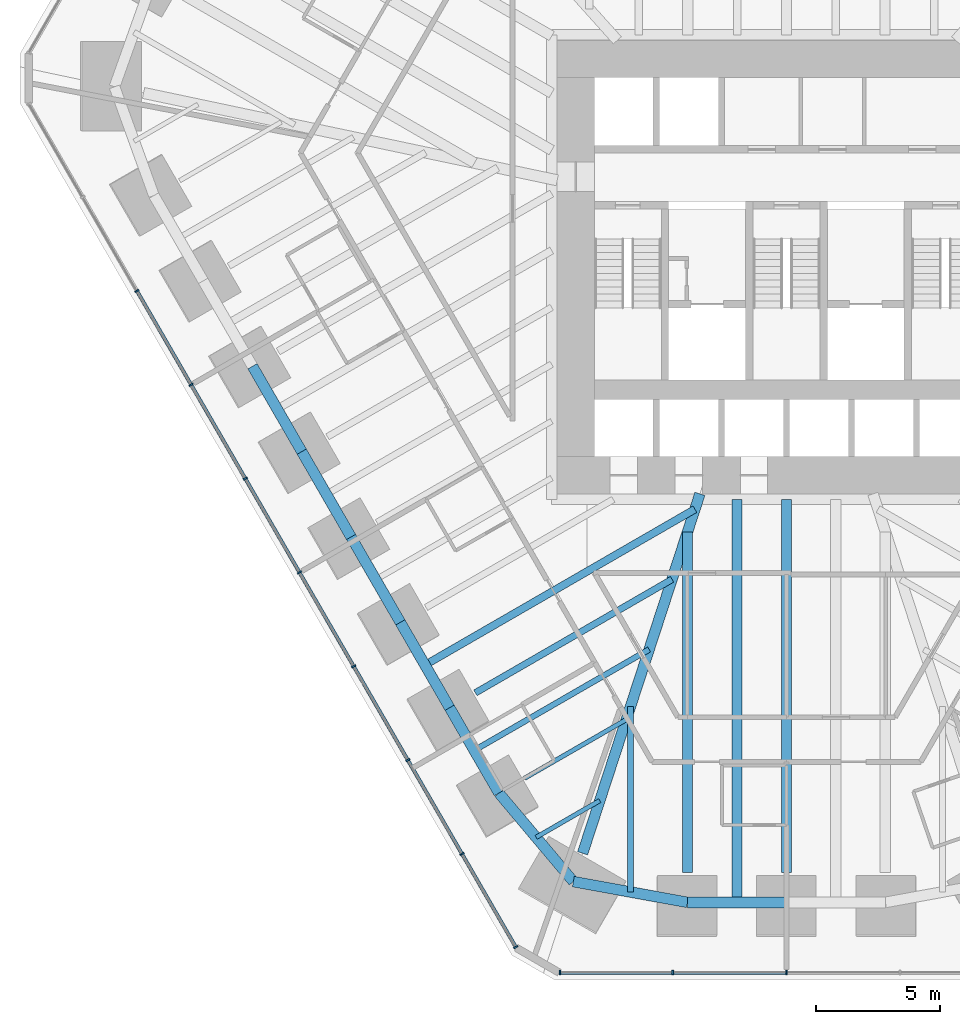
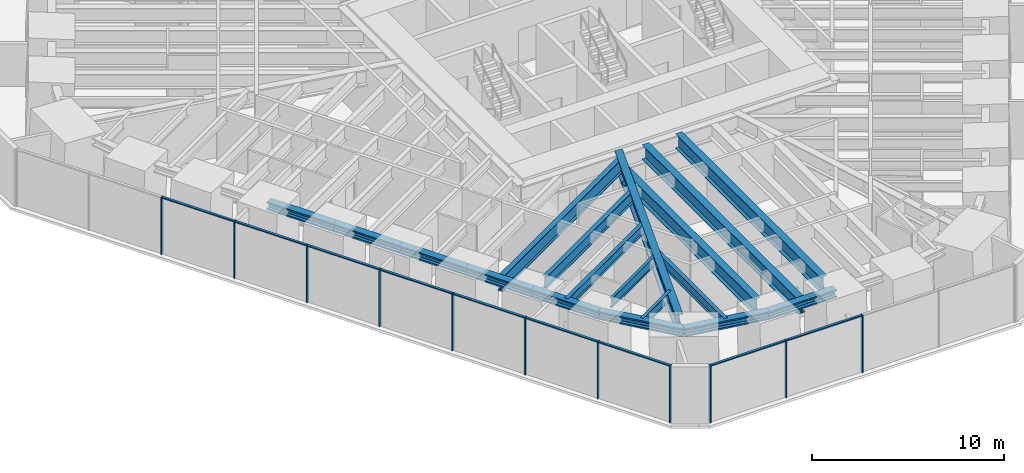
# One storey, part 2 of 17: 20 members, 18 beams, 2 elements without a shape of their own.
"""IFC4 building model written with IfcOpenShell, lengths in metres."""

from ifc_helpers import new_model, si_unit, direction, frame, origin, origin_2d, place, context, subcontext, project, spatial, rectangle, i_section, extrude, material, material_profile, profile_set, type_object, element, aggregate, save


model = new_model("IFC4")

# Units and contexts
model_context = context("Model", 3, precision=1e-05, world=origin(), true_north=direction((0.0, 1.0)))
body_context = subcontext(model_context, "Body", "Model", "MODEL_VIEW")
ifc_project = project(units=[si_unit("LENGTHUNIT", "METRE"), si_unit("AREAUNIT", "SQUARE_METRE"), si_unit("VOLUMEUNIT", "CUBIC_METRE"), si_unit("PLANEANGLEUNIT", "RADIAN"), si_unit("MASSUNIT", "GRAM", prefix="KILO")], contexts=[model_context])

# Site, building, storey
site_placement = place(None, origin())
site = spatial("IfcSite", under=ifc_project, at=site_placement, CompositionType="ELEMENT")
building_placement = place(site_placement, origin())
building = spatial("IfcBuilding", under=site, at=building_placement, Name="Sandreach Pilgrim Tower", CompositionType="ELEMENT")
storey_placement = place(building_placement, frame((0.0, 0.0, 87.60009765625)))
storey = spatial("IfcBuildingStorey", under=building, at=storey_placement, Name="L21", CompositionType="ELEMENT", Elevation=87.60009765625)

# Beams
ifc_material_1 = material(Name="Steel ASTM A913 Grade 65", Category="steel")
ifc_material_profile_1 = material_profile(ifc_material_1, i_section(OverallWidth=0.431884765625, OverallDepth=0.497802734375, WebThickness=0.0556640625, FlangeThickness=0.0888671875, at=origin_2d()), Name="W14X500")
ifc_profile_set_1 = profile_set([ifc_material_profile_1], Name="Steel ASTM A913 Grade 65")
beam_type_1 = type_object("IfcBeamType", Name="Belt truss chord W14X500", PredefinedType="BEAM", material=ifc_profile_set_1)
beam_1_placement = place(storey_placement, frame((0.0, -27.18017578125, 3.390869140625), z_axis=(-1.0, 0.0, 0.0), x_axis=(0.0, -1.0, 0.0)))
element("IfcBeam", 1, at=beam_1_placement, inside=storey, type_object=beam_type_1, Name="BM L21 BTB24", PredefinedType="BEAM", context=body_context, shape_type="SweptSolid", body=[
    extrude(i_section(OverallWidth=0.431884765625, OverallDepth=0.497802734375, WebThickness=0.0556640625, FlangeThickness=0.0888671875, at=origin_2d()), origin(), (0.0, 0.0, 1.0), 3.99169921875),
])
beam_2_placement = place(storey_placement, frame((-3.99169921875, -27.18017578125, 3.390869140625), z_axis=(-0.983773831368, 0.179413067296, 0.0), x_axis=(-0.179413067296, -0.983773831368, 0.0)))
element("IfcBeam", 2, at=beam_2_placement, inside=storey, type_object=beam_type_1, Name="BM L21 BTB25", PredefinedType="BEAM", context=body_context, shape_type="SweptSolid", body=[
    extrude(i_section(OverallWidth=0.431884765625, OverallDepth=0.497802734375, WebThickness=0.0556640625, FlangeThickness=0.0888671875, at=origin_2d()), origin(), (0.0, 0.0, 1.0), 4.682373046875),
])
beam_3_placement = place(storey_placement, frame((-8.59814453125, -26.340087890625, 3.390869140625), z_axis=(-0.64376503388, 0.765223223088, 0.0), x_axis=(-0.765223223088, -0.64376503388, 0.0)))
element("IfcBeam", 3, at=beam_3_placement, inside=storey, type_object=beam_type_1, Name="BM L21 BTB26", PredefinedType="BEAM", context=body_context, shape_type="SweptSolid", body=[
    extrude(i_section(OverallWidth=0.431884765625, OverallDepth=0.497802734375, WebThickness=0.0556640625, FlangeThickness=0.0888671875, at=origin_2d()), origin(), (0.0, 0.0, 1.0), 4.665283203125),
])
beam_4_placement = place(storey_placement, frame((-11.6015625, -22.77001953125, 3.390869140625), z_axis=(-0.499995262016, 0.866028139243, 0.0), x_axis=(-0.866028139243, -0.499995262016, 0.0)))
element("IfcBeam", 4, at=beam_4_placement, inside=storey, type_object=beam_type_1, Name="BM L21 BTB27", PredefinedType="BEAM", context=body_context, shape_type="SweptSolid", body=[
    extrude(i_section(OverallWidth=0.431884765625, OverallDepth=0.497802734375, WebThickness=0.0556640625, FlangeThickness=0.0888671875, at=origin_2d()), origin(), (0.0, 0.0, 1.0), 3.9765625),
])
beam_5_placement = place(storey_placement, frame((-13.58984375, -19.326171875, 3.390869140625), z_axis=(-0.499968678846, 0.866043486306, 0.0), x_axis=(-0.866043486306, -0.499968678846, 0.0)))
element("IfcBeam", 5, at=beam_5_placement, inside=storey, type_object=beam_type_1, Name="BM L21 BTB28", PredefinedType="BEAM", context=body_context, shape_type="SweptSolid", body=[
    extrude(i_section(OverallWidth=0.431884765625, OverallDepth=0.497802734375, WebThickness=0.0556640625, FlangeThickness=0.0888671875, at=origin_2d()), origin(), (0.0, 0.0, 1.0), 3.976806640625),
])
beam_6_placement = place(storey_placement, frame((-15.578125, -15.882080078125, 3.390869140625), z_axis=(-0.500014721933, 0.866016903906, 0.0), x_axis=(-0.866016903906, -0.500014721933, 0.0)))
element("IfcBeam", 6, at=beam_6_placement, inside=storey, type_object=beam_type_1, Name="BM L21 BTB29", PredefinedType="BEAM", context=body_context, shape_type="SweptSolid", body=[
    extrude(i_section(OverallWidth=0.431884765625, OverallDepth=0.497802734375, WebThickness=0.0556640625, FlangeThickness=0.0888671875, at=origin_2d()), origin(), (0.0, 0.0, 1.0), 3.97705078125),
])
beam_7_placement = place(storey_placement, frame((-17.566650390625, -12.43798828125, 3.390869140625), z_axis=(-0.499995262016, 0.866028139243, 0.0), x_axis=(-0.866028139243, -0.499995262016, 0.0)))
element("IfcBeam", 7, at=beam_7_placement, inside=storey, type_object=beam_type_1, Name="BM L21 BTB30", PredefinedType="BEAM", context=body_context, shape_type="SweptSolid", body=[
    extrude(i_section(OverallWidth=0.431884765625, OverallDepth=0.497802734375, WebThickness=0.0556640625, FlangeThickness=0.0888671875, at=origin_2d()), origin(), (0.0, 0.0, 1.0), 3.9765625),
])
beam_8_placement = place(storey_placement, frame((-19.554931640625, -8.994140625, 3.390869140625), z_axis=(-0.500014721933, 0.866016903906, 0.0), x_axis=(-0.866016903906, -0.500014721933, 0.0)))
element("IfcBeam", 8, at=beam_8_placement, inside=storey, type_object=beam_type_1, Name="BM L21 BTB31", PredefinedType="BEAM", context=body_context, shape_type="SweptSolid", body=[
    extrude(i_section(OverallWidth=0.431884765625, OverallDepth=0.497802734375, WebThickness=0.0556640625, FlangeThickness=0.0888671875, at=origin_2d()), origin(), (0.0, 0.0, 1.0), 3.97705078125),
])

# Curtain wall, members
ifc_material_2 = material(Name="Aluminium framed curtain wall", Category="aluminium")
curtain_wall_type = type_object("IfcCurtainWallType", Name="Hostel tower curtain wall", PredefinedType="NOTDEFINED", material=ifc_material_2)
curtain_wall_1_placement = place(storey_placement, origin())
curtain_wall_1 = element("IfcCurtainWall", 9, at=curtain_wall_1_placement, inside=storey, type_object=curtain_wall_type, Name="CW-1 L21 S", PredefinedType="NOTDEFINED")
ifc_material_3 = material(Name="Aluminium extrusion", Category="aluminium")
ifc_material_profile_2 = material_profile(ifc_material_3, rectangle(XDim=0.06494140625, YDim=0.179931640625, at=origin_2d()), Name="CW-1M 65X180")
ifc_profile_set_2 = profile_set([ifc_material_profile_2], Name="Aluminium extrusion")
member_type_1 = type_object("IfcMemberType", Name="CW-1 mullion", PredefinedType="MULLION", material=ifc_profile_set_2)
member_1_placement = place(storey_placement, frame((0.0, -30.010986328125, 0.0), z_axis=(0.0, 0.0, 1.0), x_axis=(-1.0, 0.0, 0.0)))
member_1 = element("IfcMember", 10, at=member_1_placement, type_object=member_type_1, Name="CW-1 mullion 3", PredefinedType="MULLION", context=body_context, shape_type="SweptSolid", body=[
    extrude(rectangle(XDim=0.06494140625, YDim=0.179931640625, at=origin_2d()), origin(), (0.0, 0.0, 1.0), 3.639892578125),
])
member_2_placement = place(storey_placement, frame((-4.5859375, -30.010986328125, 0.0), z_axis=(0.0, 0.0, 1.0), x_axis=(-1.0, 0.0, 0.0)))
member_2 = element("IfcMember", 11, at=member_2_placement, type_object=member_type_1, Name="CW-1 mullion 4", PredefinedType="MULLION", context=body_context, shape_type="SweptSolid", body=[
    extrude(rectangle(XDim=0.06494140625, YDim=0.179931640625, at=origin_2d()), origin(), (0.0, 0.0, 1.0), 3.639892578125),
])
member_3_placement = place(storey_placement, frame((-9.1396484375, -30.010986328125, 0.0), z_axis=(0.0, 0.0, 1.0), x_axis=(-1.0, 0.0, 0.0)))
member_3 = element("IfcMember", 12, at=member_3_placement, type_object=member_type_1, Name="CW-1 mullion 5", PredefinedType="MULLION", context=body_context, shape_type="SweptSolid", body=[
    extrude(rectangle(XDim=0.06494140625, YDim=0.179931640625, at=origin_2d()), origin(), (0.0, 0.0, 1.0), 3.639892578125),
])

curtain_wall_2_placement = place(storey_placement, origin())
curtain_wall_2 = element("IfcCurtainWall", 13, at=curtain_wall_2_placement, inside=storey, type_object=curtain_wall_type, Name="CW-1 L21 SW", PredefinedType="NOTDEFINED")
member_4_placement = place(storey_placement, frame((-10.92041015625, -28.982666015625, 0.0), z_axis=(0.0, 0.0, 1.0), x_axis=(-0.5, 0.866025403784, 0.0)))
member_4 = element("IfcMember", 14, at=member_4_placement, type_object=member_type_1, Name="CW-1 mullion 1", PredefinedType="MULLION", context=body_context, shape_type="SweptSolid", body=[
    extrude(rectangle(XDim=0.06494140625, YDim=0.179931640625, at=origin_2d()), origin(), (0.0, 0.0, 1.0), 3.639892578125),
])
member_5_placement = place(storey_placement, frame((-13.08984375, -25.22509765625, 0.0), z_axis=(0.0, 0.0, 1.0), x_axis=(-0.5, 0.866025403784, 0.0)))
member_5 = element("IfcMember", 15, at=member_5_placement, type_object=member_type_1, Name="CW-1 mullion 2", PredefinedType="MULLION", context=body_context, shape_type="SweptSolid", body=[
    extrude(rectangle(XDim=0.06494140625, YDim=0.179931640625, at=origin_2d()), origin(), (0.0, 0.0, 1.0), 3.639892578125),
])
member_6_placement = place(storey_placement, frame((-15.275634765625, -21.439208984375, 0.0), z_axis=(0.0, 0.0, 1.0), x_axis=(-0.5, 0.866025403784, 0.0)))
member_6 = element("IfcMember", 16, at=member_6_placement, type_object=member_type_1, Name="CW-1 mullion 3", PredefinedType="MULLION", context=body_context, shape_type="SweptSolid", body=[
    extrude(rectangle(XDim=0.06494140625, YDim=0.179931640625, at=origin_2d()), origin(), (0.0, 0.0, 1.0), 3.639892578125),
])
member_7_placement = place(storey_placement, frame((-17.46142578125, -17.6533203125, 0.0), z_axis=(0.0, 0.0, 1.0), x_axis=(-0.5, 0.866025403784, 0.0)))
member_7 = element("IfcMember", 17, at=member_7_placement, type_object=member_type_1, Name="CW-1 mullion 4", PredefinedType="MULLION", context=body_context, shape_type="SweptSolid", body=[
    extrude(rectangle(XDim=0.06494140625, YDim=0.179931640625, at=origin_2d()), origin(), (0.0, 0.0, 1.0), 3.639892578125),
])
member_8_placement = place(storey_placement, frame((-19.647216796875, -13.8671875, 0.0), z_axis=(0.0, 0.0, 1.0), x_axis=(-0.5, 0.866025403784, 0.0)))
member_8 = element("IfcMember", 18, at=member_8_placement, type_object=member_type_1, Name="CW-1 mullion 5", PredefinedType="MULLION", context=body_context, shape_type="SweptSolid", body=[
    extrude(rectangle(XDim=0.06494140625, YDim=0.179931640625, at=origin_2d()), origin(), (0.0, 0.0, 1.0), 3.639892578125),
])
member_9_placement = place(storey_placement, frame((-21.8330078125, -10.081298828125, 0.0), z_axis=(0.0, 0.0, 1.0), x_axis=(-0.5, 0.866025403784, 0.0)))
member_9 = element("IfcMember", 19, at=member_9_placement, type_object=member_type_1, Name="CW-1 mullion 6", PredefinedType="MULLION", context=body_context, shape_type="SweptSolid", body=[
    extrude(rectangle(XDim=0.06494140625, YDim=0.179931640625, at=origin_2d()), origin(), (0.0, 0.0, 1.0), 3.639892578125),
])
member_10_placement = place(storey_placement, frame((-24.018798828125, -6.29541015625, 0.0), z_axis=(0.0, 0.0, 1.0), x_axis=(-0.5, 0.866025403784, 0.0)))
member_10 = element("IfcMember", 20, at=member_10_placement, type_object=member_type_1, Name="CW-1 mullion 7", PredefinedType="MULLION", context=body_context, shape_type="SweptSolid", body=[
    extrude(rectangle(XDim=0.06494140625, YDim=0.179931640625, at=origin_2d()), origin(), (0.0, 0.0, 1.0), 3.639892578125),
])
member_11_placement = place(storey_placement, frame((-26.20458984375, -2.509521484375, 0.0), z_axis=(0.0, 0.0, 1.0), x_axis=(-0.5, 0.866025403784, 0.0)))
member_11 = element("IfcMember", 21, at=member_11_placement, type_object=member_type_1, Name="CW-1 mullion 8", PredefinedType="MULLION", context=body_context, shape_type="SweptSolid", body=[
    extrude(rectangle(XDim=0.06494140625, YDim=0.179931640625, at=origin_2d()), origin(), (0.0, 0.0, 1.0), 3.639892578125),
])

# Member
ifc_material_4 = material(Name="Aluminium extrusion", Category="aluminium")
ifc_material_profile_3 = material_profile(ifc_material_4, rectangle(XDim=0.139892578125, YDim=0.070068359375, at=origin_2d()), Name="CW-1T 140X70")
ifc_profile_set_3 = profile_set([ifc_material_profile_3], Name="Aluminium extrusion")
member_type_2 = type_object("IfcMemberType", Name="CW-1 transom", PredefinedType="USERDEFINED", material=ifc_profile_set_3)
member_12_placement = place(storey_placement, frame((-0.032470703125, -30.010986328125, 3.60498046875), z_axis=(-1.0, 0.0, 0.0), x_axis=(0.0, -1.0, 0.0)))
member_12 = element("IfcMember", 22, at=member_12_placement, type_object=member_type_2, Name="CW-1 head transom 3", ObjectType="TRANSOM", PredefinedType="USERDEFINED", context=body_context, shape_type="SweptSolid", body=[
    extrude(rectangle(XDim=0.139892578125, YDim=0.070068359375, at=origin_2d()), origin(), (0.0, 0.0, 1.0), 4.52099609375),
])

member_13_placement = place(storey_placement, frame((-4.61865234375, -30.010986328125, 3.60498046875), z_axis=(-1.0, 0.0, 0.0), x_axis=(0.0, -1.0, 0.0)))
member_13 = element("IfcMember", 23, at=member_13_placement, type_object=member_type_2, Name="CW-1 head transom 4", ObjectType="TRANSOM", PredefinedType="USERDEFINED", context=body_context, shape_type="SweptSolid", body=[
    extrude(rectangle(XDim=0.139892578125, YDim=0.070068359375, at=origin_2d()), origin(), (0.0, 0.0, 1.0), 4.488525390625),
])

aggregate(curtain_wall_1, [member_1, member_2, member_3, member_12, member_13])

member_14_placement = place(storey_placement, frame((-10.9365234375, -28.95458984375, 3.60498046875), z_axis=(-0.500033953635, 0.866005799756, 0.0), x_axis=(-0.866005799756, -0.500033953635, 0.0)))
member_14 = element("IfcMember", 24, at=member_14_placement, type_object=member_type_2, Name="CW-1 head transom 1", ObjectType="TRANSOM", PredefinedType="USERDEFINED", context=body_context, shape_type="SweptSolid", body=[
    extrude(rectangle(XDim=0.139892578125, YDim=0.070068359375, at=origin_2d()), origin(), (0.0, 0.0, 1.0), 4.274169921875),
])

member_15_placement = place(storey_placement, frame((-13.106201171875, -25.19677734375, 3.60498046875), z_axis=(-0.500016891966, 0.866015650984, 0.0), x_axis=(-0.866015650984, -0.500016891966, 0.0)))
member_15 = element("IfcMember", 25, at=member_15_placement, type_object=member_type_2, Name="CW-1 head transom 2", ObjectType="TRANSOM", PredefinedType="USERDEFINED", context=body_context, shape_type="SweptSolid", body=[
    extrude(rectangle(XDim=0.139892578125, YDim=0.070068359375, at=origin_2d()), origin(), (0.0, 0.0, 1.0), 4.306396484375),
])

member_16_placement = place(storey_placement, frame((-15.2919921875, -21.410888671875, 3.60498046875), z_axis=(-0.500016891966, 0.866015650984, 0.0), x_axis=(-0.866015650984, -0.500016891966, 0.0)))
member_16 = element("IfcMember", 26, at=member_16_placement, type_object=member_type_2, Name="CW-1 head transom 3", ObjectType="TRANSOM", PredefinedType="USERDEFINED", context=body_context, shape_type="SweptSolid", body=[
    extrude(rectangle(XDim=0.139892578125, YDim=0.070068359375, at=origin_2d()), origin(), (0.0, 0.0, 1.0), 4.306396484375),
])

member_17_placement = place(storey_placement, frame((-17.477783203125, -17.625, 3.60498046875), z_axis=(-0.500016891966, 0.866015650984, 0.0), x_axis=(-0.866015650984, -0.500016891966, 0.0)))
member_17 = element("IfcMember", 27, at=member_17_placement, type_object=member_type_2, Name="CW-1 head transom 4", ObjectType="TRANSOM", PredefinedType="USERDEFINED", context=body_context, shape_type="SweptSolid", body=[
    extrude(rectangle(XDim=0.139892578125, YDim=0.070068359375, at=origin_2d()), origin(), (0.0, 0.0, 1.0), 4.306396484375),
])

member_18_placement = place(storey_placement, frame((-19.66357421875, -13.839111328125, 3.60498046875), z_axis=(-0.500016891966, 0.866015650984, 0.0), x_axis=(-0.866015650984, -0.500016891966, 0.0)))
member_18 = element("IfcMember", 28, at=member_18_placement, type_object=member_type_2, Name="CW-1 head transom 5", ObjectType="TRANSOM", PredefinedType="USERDEFINED", context=body_context, shape_type="SweptSolid", body=[
    extrude(rectangle(XDim=0.139892578125, YDim=0.070068359375, at=origin_2d()), origin(), (0.0, 0.0, 1.0), 4.306396484375),
])

member_19_placement = place(storey_placement, frame((-21.849365234375, -10.05322265625, 3.60498046875), z_axis=(-0.500016891966, 0.866015650984, 0.0), x_axis=(-0.866015650984, -0.500016891966, 0.0)))
member_19 = element("IfcMember", 29, at=member_19_placement, type_object=member_type_2, Name="CW-1 head transom 6", ObjectType="TRANSOM", PredefinedType="USERDEFINED", context=body_context, shape_type="SweptSolid", body=[
    extrude(rectangle(XDim=0.139892578125, YDim=0.070068359375, at=origin_2d()), origin(), (0.0, 0.0, 1.0), 4.306396484375),
])

member_20_placement = place(storey_placement, frame((-24.03515625, -6.267333984375, 3.60498046875), z_axis=(-0.500016891966, 0.866015650984, 0.0), x_axis=(-0.866015650984, -0.500016891966, 0.0)))
member_20 = element("IfcMember", 30, at=member_20_placement, type_object=member_type_2, Name="CW-1 head transom 7", ObjectType="TRANSOM", PredefinedType="USERDEFINED", context=body_context, shape_type="SweptSolid", body=[
    extrude(rectangle(XDim=0.139892578125, YDim=0.070068359375, at=origin_2d()), origin(), (0.0, 0.0, 1.0), 4.306396484375),
])

aggregate(curtain_wall_2, [member_4, member_5, member_6, member_7, member_8, member_9, member_10, member_11, member_14, member_15, member_16, member_17, member_18, member_19, member_20])

# Beams
ifc_material_5 = material(Name="Steel ASTM A992 Grade 50", Category="steel")
ifc_material_profile_4 = material_profile(ifc_material_5, i_section(OverallWidth=0.4267578125, OverallDepth=0.975341796875, WebThickness=0.031005859375, FlangeThickness=0.055908203125, at=origin_2d()), Name="W36X395")
ifc_profile_set_4 = profile_set([ifc_material_profile_4], Name="Steel ASTM A992 Grade 50")
beam_type_2 = type_object("IfcBeamType", Name="Corner girder W36X395", PredefinedType="BEAM", material=ifc_profile_set_4)
beam_9_placement = place(storey_placement, frame((-8.225830078125, -25.199462890625, 3.15234375), z_axis=(0.310320012545, 0.950632152735, 0.0), x_axis=(-0.950632152735, 0.310320012545, 0.0)))
element("IfcBeam", 31, at=beam_9_placement, inside=storey, type_object=beam_type_2, Name="BM L21 CG26", PredefinedType="BEAM", context=body_context, shape_type="SweptSolid", body=[
    extrude(i_section(OverallWidth=0.4267578125, OverallDepth=0.975341796875, WebThickness=0.031005859375, FlangeThickness=0.055908203125, at=origin_2d()), origin(), (0.0, 0.0, 1.0), 15.25244140625),
])
ifc_material_6 = material(Name="Steel ASTM A992 Grade 50", Category="steel")
ifc_material_profile_5 = material_profile(ifc_material_6, i_section(OverallWidth=0.1787109375, OverallDepth=0.60205078125, WebThickness=0.010986328125, FlangeThickness=0.014892578125, at=origin_2d()), Name="W24X62")
ifc_profile_set_5 = profile_set([ifc_material_profile_5], Name="Steel ASTM A992 Grade 50")
beam_type_3 = type_object("IfcBeamType", Name="Floor beam W24X62", PredefinedType="BEAM", material=ifc_profile_set_5)
beam_10_placement = place(storey_placement, frame((-10.562255859375, -22.169921875, 3.3388671875), z_axis=(0.866030920585, 0.499990444499, 0.0), x_axis=(-0.499990444499, 0.866030920585, 0.0)))
element("IfcBeam", 32, at=beam_10_placement, inside=storey, type_object=beam_type_3, Name="BM L21 F27", PredefinedType="BEAM", context=body_context, shape_type="SweptSolid", body=[
    extrude(i_section(OverallWidth=0.1787109375, OverallDepth=0.60205078125, WebThickness=0.010986328125, FlangeThickness=0.014892578125, at=origin_2d()), origin(), (0.0, 0.0, 1.0), 4.7314453125),
])
beam_11_placement = place(storey_placement, frame((-10.099853515625, -24.55517578125, 3.3388671875), z_axis=(0.866015594979, 0.500016988964, 0.0), x_axis=(-0.500016988964, 0.866015594979, 0.0)))
element("IfcBeam", 33, at=beam_11_placement, inside=storey, type_object=beam_type_3, Name="BM L21 FM26", PredefinedType="BEAM", context=body_context, shape_type="SweptSolid", body=[
    extrude(i_section(OverallWidth=0.1787109375, OverallDepth=0.60205078125, WebThickness=0.010986328125, FlangeThickness=0.014892578125, at=origin_2d()), origin(), (0.0, 0.0, 1.0), 2.9658203125),
])
ifc_material_7 = material(Name="Steel ASTM A992 Grade 50", Category="steel")
ifc_material_profile_6 = material_profile(ifc_material_7, i_section(OverallWidth=0.23046875, OverallDepth=0.6171875, WebThickness=0.01318359375, FlangeThickness=0.022216796875, at=origin_2d()), Name="W24X94")
ifc_profile_set_6 = profile_set([ifc_material_profile_6], Name="Steel ASTM A992 Grade 50")
beam_type_4 = type_object("IfcBeamType", Name="Floor beam W24X94", PredefinedType="BEAM", material=ifc_profile_set_6)
beam_12_placement = place(storey_placement, frame((-6.294921875, -26.76025390625, 3.331298828125), z_axis=(0.0, 1.0, 0.0), x_axis=(-1.0, 0.0, 0.0)))
element("IfcBeam", 34, at=beam_12_placement, inside=storey, type_object=beam_type_4, Name="BM L21 FM25", PredefinedType="BEAM", context=body_context, shape_type="SweptSolid", body=[
    extrude(i_section(OverallWidth=0.23046875, OverallDepth=0.6171875, WebThickness=0.01318359375, FlangeThickness=0.022216796875, at=origin_2d()), origin(), (0.0, 0.0, 1.0), 7.47607421875),
])
beam_13_placement = place(storey_placement, frame((-12.595703125, -21.048095703125, 3.331298828125), z_axis=(0.866026875161, 0.499997451492, 0.0), x_axis=(-0.499997451492, 0.866026875161, 0.0)))
element("IfcBeam", 35, at=beam_13_placement, inside=storey, type_object=beam_type_4, Name="BM L21 FM27", PredefinedType="BEAM", context=body_context, shape_type="SweptSolid", body=[
    extrude(i_section(OverallWidth=0.23046875, OverallDepth=0.6171875, WebThickness=0.01318359375, FlangeThickness=0.022216796875, at=origin_2d()), origin(), (0.0, 0.0, 1.0), 8.14599609375),
])
ifc_material_8 = material(Name="Steel ASTM A992 Grade 50", Category="steel")
ifc_material_profile_7 = material_profile(ifc_material_8, i_section(OverallWidth=0.2666015625, OverallDepth=0.761962890625, WebThickness=0.014404296875, FlangeThickness=0.021484375, at=origin_2d()), Name="W30X116")
ifc_profile_set_7 = profile_set([ifc_material_profile_7], Name="Steel ASTM A992 Grade 50")
beam_type_5 = type_object("IfcBeamType", Name="Floor beam W30X116", PredefinedType="BEAM", material=ifc_profile_set_7)
beam_14_placement = place(storey_placement, frame((-12.550537109375, -18.72607421875, 3.2587890625), z_axis=(0.866023583738, 0.5000031524, 0.0), x_axis=(-0.5000031524, 0.866023583738, 0.0)))
element("IfcBeam", 36, at=beam_14_placement, inside=storey, type_object=beam_type_5, Name="BM L21 F28", PredefinedType="BEAM", context=body_context, shape_type="SweptSolid", body=[
    extrude(i_section(OverallWidth=0.2666015625, OverallDepth=0.761962890625, WebThickness=0.014404296875, FlangeThickness=0.021484375, at=origin_2d()), origin(), (0.0, 0.0, 1.0), 9.16015625),
])
ifc_material_9 = material(Name="Steel ASTM A992 Grade 50", Category="steel")
ifc_material_profile_8 = material_profile(ifc_material_9, i_section(OverallWidth=0.3046875, OverallDepth=0.914306640625, WebThickness=0.0166015625, FlangeThickness=0.02587890625, at=origin_2d()), Name="W36X160")
ifc_profile_set_8 = profile_set([ifc_material_profile_8], Name="Steel ASTM A992 Grade 50")
beam_type_6 = type_object("IfcBeamType", Name="Floor beam W36X160", PredefinedType="BEAM", material=ifc_profile_set_8)
beam_15_placement = place(storey_placement, frame((-14.583984375, -17.60400390625, 3.1826171875), z_axis=(0.866022955265, 0.500004240936, 0.0), x_axis=(-0.500004240936, 0.866022955265, 0.0)))
element("IfcBeam", 37, at=beam_15_placement, inside=storey, type_object=beam_type_6, Name="BM L21 FM28", PredefinedType="BEAM", context=body_context, shape_type="SweptSolid", body=[
    extrude(i_section(OverallWidth=0.3046875, OverallDepth=0.914306640625, WebThickness=0.0166015625, FlangeThickness=0.02587890625, at=origin_2d()), origin(), (0.0, 0.0, 1.0), 12.57470703125),
])
ifc_material_10 = material(Name="Steel ASTM A992 Grade 50", Category="steel")
ifc_material_profile_9 = material_profile(ifc_material_10, i_section(OverallWidth=0.419189453125, OverallDepth=0.927001953125, WebThickness=0.019287109375, FlangeThickness=0.031982421875, at=origin_2d()), Name="W36X231")
ifc_profile_set_9 = profile_set([ifc_material_profile_9], Name="Steel ASTM A992 Grade 50")
beam_type_7 = type_object("IfcBeamType", Name="Floor beam W36X231", PredefinedType="BEAM", material=ifc_profile_set_9)
beam_16_placement = place(storey_placement, frame((0.0, -25.980224609375, 3.17626953125), z_axis=(0.0, 1.0, 0.0), x_axis=(-1.0, 0.0, 0.0)))
element("IfcBeam", 38, at=beam_16_placement, inside=storey, type_object=beam_type_7, Name="BM L21 F24", PredefinedType="BEAM", context=body_context, shape_type="SweptSolid", body=[
    extrude(i_section(OverallWidth=0.419189453125, OverallDepth=0.927001953125, WebThickness=0.019287109375, FlangeThickness=0.031982421875, at=origin_2d()), origin(), (0.0, 0.0, 1.0), 15.05810546875),
])
beam_17_placement = place(storey_placement, frame((-3.99169921875, -25.980224609375, 3.17626953125), z_axis=(0.0, 1.0, 0.0), x_axis=(-1.0, 0.0, 0.0)))
element("IfcBeam", 39, at=beam_17_placement, inside=storey, type_object=beam_type_7, Name="BM L21 F25", PredefinedType="BEAM", context=body_context, shape_type="SweptSolid", body=[
    extrude(i_section(OverallWidth=0.419189453125, OverallDepth=0.927001953125, WebThickness=0.019287109375, FlangeThickness=0.031982421875, at=origin_2d()), origin(), (0.0, 0.0, 1.0), 13.751953125),
])
beam_18_placement = place(storey_placement, frame((-1.995849609375, -27.18017578125, 3.17626953125), z_axis=(0.0, 1.0, 0.0), x_axis=(-1.0, 0.0, 0.0)))
element("IfcBeam", 40, at=beam_18_placement, inside=storey, type_object=beam_type_7, Name="BM L21 FM24", PredefinedType="BEAM", context=body_context, shape_type="SweptSolid", body=[
    extrude(i_section(OverallWidth=0.419189453125, OverallDepth=0.927001953125, WebThickness=0.019287109375, FlangeThickness=0.031982421875, at=origin_2d()), origin(), (0.0, 0.0, 1.0), 16.258056640625),
])

save(model, "model.ifc")
